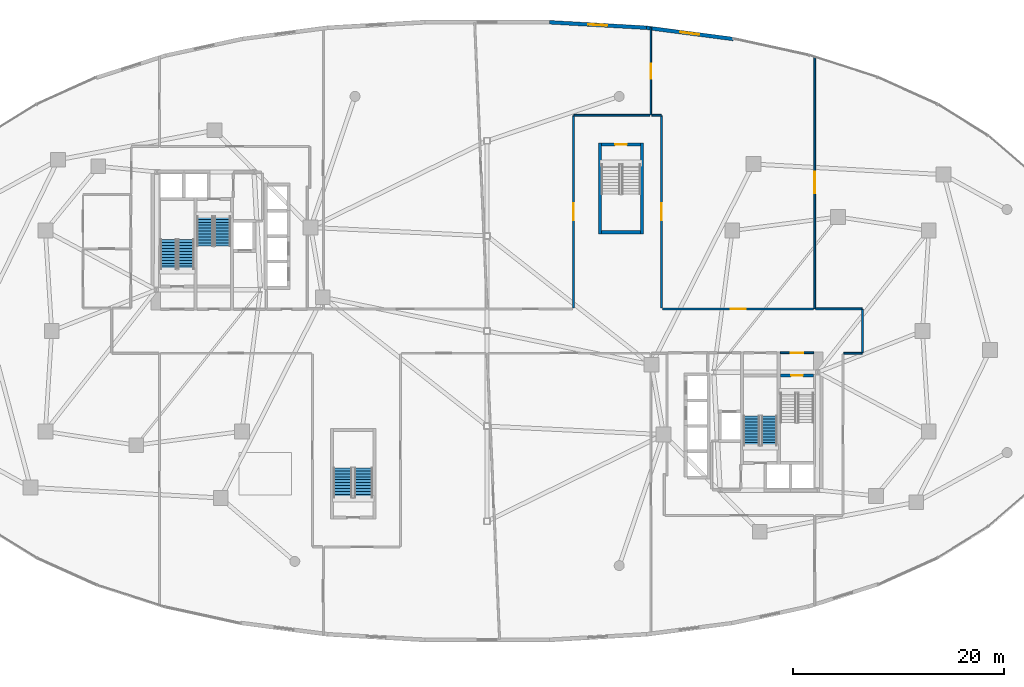
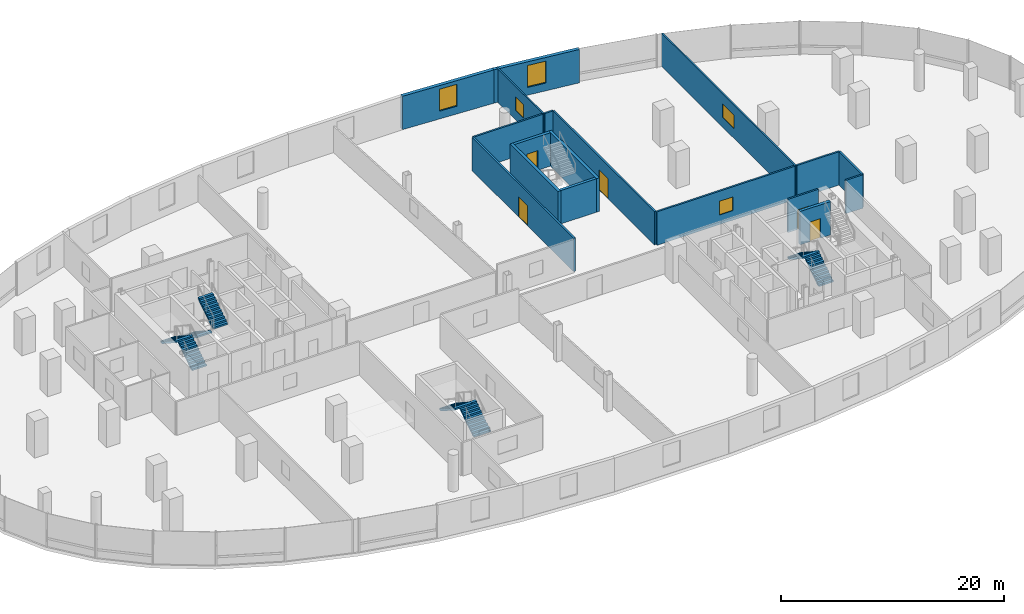
# One storey, part 16 of 19: 18 walls, 8 stair flights, 5 doors, 5 windows, 10 openings, 4 elements without a shape of their own.
"""IFC4 building model written with IfcOpenShell, lengths in metres."""

from ifc_helpers import new_model, si_unit, direction, frame, frame_2d, origin, place, context, subcontext, project, spatial, polyline, rectangle, outline, extrude, material, layer, layer_set, type_object, element, fill, aggregate, save


model = new_model("IFC4")

# Units and contexts
model_context = context("Model", 3, precision=1e-05, world=origin(), true_north=direction((0.0, 1.0)))
body_context = subcontext(model_context, "Body", "Model", "MODEL_VIEW")
ifc_project = project(units=[si_unit("LENGTHUNIT", "METRE"), si_unit("AREAUNIT", "SQUARE_METRE"), si_unit("VOLUMEUNIT", "CUBIC_METRE"), si_unit("PLANEANGLEUNIT", "RADIAN"), si_unit("MASSUNIT", "GRAM", prefix="KILO"), si_unit("THERMODYNAMICTEMPERATUREUNIT", "KELVIN"), si_unit("POWERUNIT", "WATT")], contexts=[model_context])

# Site, building, storey
site_placement = place(None, origin())
site = spatial("IfcSite", under=ifc_project, at=site_placement, CompositionType="ELEMENT")
building_placement = place(site_placement, origin())
building = spatial("IfcBuilding", under=site, at=building_placement, Name="Cundina Bronze Exchange", CompositionType="ELEMENT")
storey_placement = place(building_placement, frame((0.0, 0.0, 16.0)))
storey = spatial("IfcBuildingStorey", under=building, at=storey_placement, Name="L03", CompositionType="ELEMENT", Elevation=16.0)

# Wall, opening, door
ifc_material_1 = material(Name="Gypsum Fireboard Partition EI120")
ifc_layer_1 = layer(ifc_material_1, 0.179931640625, Name="Gypsum Fireboard Partition EI120")
ifc_layer_set_1 = layer_set([ifc_layer_1], Name="Gypsum Fireboard Partition EI120")
wall_type_1 = type_object("IfcWallType", Name="WL-COR-180", PredefinedType="PARTITIONING", material=ifc_layer_set_1)
wall_1_placement = place(storey_placement, frame((27.739990234375, -2.06005859375, 0.0), z_axis=(0.0, 0.0, 1.0), x_axis=(1.0, 0.0, 0.0)))
wall_1 = element("IfcWall", 1, at=wall_1_placement, inside=storey, type_object=wall_type_1, Name="L03 E Stair Vestibule Exit Wall", PredefinedType="PARTITIONING", context=body_context, shape_type="SweptSolid", body=[
    extrude(rectangle(XDim=3.159912109375, YDim=0.179931640625, at=frame_2d((1.580078125, 0.0))), origin(), (0.0, 0.0, 1.0), 3.64990234375),
])
opening_1_placement = place(wall_1_placement, frame((0.97998046875, 0.0, 0.0)))
opening_1 = element("IfcOpeningElement", 2, at=opening_1_placement, cuts=wall_1, Name="Opening DF-01", PredefinedType="OPENING", context=body_context, shape_type="SweptSolid", body=[
    extrude(rectangle(XDim=1.199951171875, YDim=2.14990234375, at=frame_2d((0.60009765625, 1.074951171875))), frame((0.0, 0.099853515625, 0.0), z_axis=(0.0, -1.0, 0.0), x_axis=(1.0, 0.0, 0.0)), (0.0, 0.0, 1.0), 0.199951171875),
])
ifc_material_2 = material(Name="Steel ASTM A36 Painted", Category="steel")
door_type_1 = type_object("IfcDoorType", Name="DR-FFL-1200", OperationType="NOTDEFINED", PredefinedType="DOOR", material=ifc_material_2)
door_1_placement = place(opening_1_placement, origin())
door_1 = element("IfcDoor", 3, at=door_1_placement, inside=storey, type_object=door_type_1, Name="L03 E Stair Vestibule Door", OperationType="SINGLE_SWING_RIGHT", OverallHeight=2.14990234375, OverallWidth=1.199951171875, PredefinedType="DOOR", context=body_context, shape_type="SweptSolid", body=[
    extrude(rectangle(XDim=1.199951171875, YDim=2.14990234375, at=frame_2d((0.60009765625, 1.074951171875))), frame((0.0, 0.02490234375, 0.0), z_axis=(0.0, -1.0, 0.0), x_axis=(1.0, 0.0, 0.0)), (0.0, 0.0, 1.0), 0.050048828125),
])
fill(opening_1, door_1)

# Walls
wall_2_placement = place(storey_placement, frame((35.478515625, 2.10009765625, 0.0), z_axis=(0.0, 0.0, 1.0), x_axis=(-1.0, 0.0, 0.0)))
element("IfcWall", 4, at=wall_2_placement, inside=storey, type_object=wall_type_1, Name="L03 Interior Partition 050", PredefinedType="PARTITIONING", context=body_context, shape_type="SweptSolid", body=[
    extrude(rectangle(XDim=4.383544921875, YDim=0.179931640625, at=frame_2d((2.19189453125, 0.0))), origin(), (0.0, 0.0, 1.0), 3.64990234375),
])
wall_3_placement = place(storey_placement, frame((35.52001953125, -2.05859375, 0.0), z_axis=(0.0, 0.0, 1.0), x_axis=(0.0, 1.0, 0.0)))
element("IfcWall", 5, at=wall_3_placement, inside=storey, type_object=wall_type_1, Name="L03 Interior Partition 051", PredefinedType="PARTITIONING", context=body_context, shape_type="SweptSolid", body=[
    extrude(rectangle(XDim=4.1171875, YDim=0.179931640625, at=frame_2d((2.05859375, 0.0))), origin(), (0.0, 0.0, 1.0), 3.64990234375),
])
wall_4_placement = place(storey_placement, frame((33.75, -2.10009765625, 0.0), z_axis=(0.0, 0.0, 1.0), x_axis=(1.0, 0.0, 0.0)))
element("IfcWall", 6, at=wall_4_placement, inside=storey, type_object=wall_type_1, Name="L03 Interior Partition 053", PredefinedType="PARTITIONING", context=body_context, shape_type="SweptSolid", body=[
    extrude(rectangle(XDim=1.728515625, YDim=0.179931640625, at=frame_2d((0.8642578125, 0.0))), origin(), (0.0, 0.0, 1.0), 3.64990234375),
])

# Wall, opening, door
wall_5_placement = place(storey_placement, frame((16.52001953125, 2.179931640625, 0.0), z_axis=(0.0, 0.0, 1.0), x_axis=(0.0, 1.0, 0.0)))
wall_5 = element("IfcWall", 7, at=wall_5_placement, inside=storey, type_object=wall_type_1, Name="L03 Interior Partition 054", PredefinedType="PARTITIONING", context=body_context, shape_type="SweptSolid", body=[
    extrude(rectangle(XDim=18.198486328125, YDim=0.179931640625, at=frame_2d((9.09912109375, 0.0))), origin(), (0.0, 0.0, 1.0), 3.64990234375),
])
opening_2_placement = place(wall_5_placement, frame((8.29931640625, 0.0, 0.0)))
opening_2 = element("IfcOpeningElement", 8, at=opening_2_placement, cuts=wall_5, Name="Opening DO-02", PredefinedType="OPENING", context=body_context, shape_type="SweptSolid", body=[
    extrude(rectangle(XDim=1.60009765625, YDim=2.199951171875, at=frame_2d((0.800048828125, 1.10009765625))), frame((0.0, 0.099853515625, 0.0), z_axis=(0.0, -1.0, 0.0), x_axis=(1.0, 0.0, 0.0)), (0.0, 0.0, 1.0), 0.199951171875),
])
ifc_material_3 = material(Name="Solid Andean Oak Timber Grade A", Category="wood")
door_type_2 = type_object("IfcDoorType", Name="DR-TRD-1600", OperationType="NOTDEFINED", PredefinedType="DOOR", material=ifc_material_3)
door_2_placement = place(opening_2_placement, origin())
door_2 = element("IfcDoor", 9, at=door_2_placement, inside=storey, type_object=door_type_2, Name="L03 Interior Door 054", OperationType="SINGLE_SWING_LEFT", OverallHeight=2.199951171875, OverallWidth=1.60009765625, PredefinedType="DOOR", context=body_context, shape_type="SweptSolid", body=[
    extrude(rectangle(XDim=1.60009765625, YDim=2.199951171875, at=frame_2d((0.800048828125, 1.10009765625))), frame((0.0, 0.02490234375, 0.0), z_axis=(0.0, -1.0, 0.0), x_axis=(1.0, 0.0, 0.0)), (0.0, 0.0, 1.0), 0.050048828125),
])
fill(opening_2, door_2)

# Wall, opening, window
wall_6_placement = place(storey_placement, frame((30.905029296875, 2.10009765625, 0.0), z_axis=(0.0, 0.0, 1.0), x_axis=(-1.0, 0.0, 0.0)))
wall_6 = element("IfcWall", 10, at=wall_6_placement, inside=storey, type_object=wall_type_1, Name="L03 Interior Partition 055", PredefinedType="PARTITIONING", context=body_context, shape_type="SweptSolid", body=[
    extrude(rectangle(XDim=14.304931640625, YDim=0.179931640625, at=frame_2d((7.15234375, 0.0))), origin(), (0.0, 0.0, 1.0), 3.64990234375),
])
opening_3_placement = place(wall_6_placement, frame((6.451904296875, 0.0, 1.050048828125)))
opening_3 = element("IfcOpeningElement", 11, at=opening_3_placement, cuts=wall_6, Name="Opening WI-02", PredefinedType="OPENING", context=body_context, shape_type="SweptSolid", body=[
    extrude(rectangle(XDim=1.39990234375, YDim=1.5, at=frame_2d((0.699951171875, 0.75))), frame((0.0, 0.099853515625, 0.0), z_axis=(0.0, -1.0, 0.0), x_axis=(1.0, 0.0, 0.0)), (0.0, 0.0, 1.0), 0.199951171875),
])
ifc_material_4 = material(Name="Clear Low-E Insulating Glass 26mm", Category="glass")
window_type_1 = type_object("IfcWindowType", Name="WN-INT-1400", PartitioningType="SINGLE_PANEL", PredefinedType="WINDOW", material=ifc_material_4)
window_1_placement = place(opening_3_placement, origin())
window_1 = element("IfcWindow", 12, at=window_1_placement, inside=storey, type_object=window_type_1, Name="L03 Interior Acoustic Vision Window 055", OverallHeight=1.5, OverallWidth=1.39990234375, PartitioningType="SINGLE_PANEL", PredefinedType="WINDOW", context=body_context, shape_type="SweptSolid", body=[
    extrude(rectangle(XDim=1.39990234375, YDim=1.5, at=frame_2d((0.699951171875, 0.75))), frame((0.0, 0.030029296875, 0.0), z_axis=(0.0, -1.0, 0.0), x_axis=(1.0, 0.0, 0.0)), (0.0, 0.0, 1.0), 0.06005859375),
])
fill(opening_3, window_1)

# Wall
wall_7_placement = place(storey_placement, frame((16.478515625, 20.419921875, 0.0), z_axis=(0.0, 0.0, 1.0), x_axis=(-1.0, 0.0, 0.0)))
element("IfcWall", 13, at=wall_7_placement, inside=storey, type_object=wall_type_1, Name="L03 Interior Partition 056", PredefinedType="PARTITIONING", context=body_context, shape_type="SweptSolid", body=[
    extrude(rectangle(XDim=0.883544921875, YDim=0.179931640625, at=frame_2d((0.44189453125, 0.0))), origin(), (0.0, 0.0, 1.0), 3.64990234375),
])

# Wall, opening, door
wall_8_placement = place(storey_placement, frame((8.179931640625, 20.37841796875, 0.0), z_axis=(0.0, 0.0, 1.0), x_axis=(0.0, -1.0, 0.0)))
wall_8 = element("IfcWall", 14, at=wall_8_placement, inside=storey, type_object=wall_type_1, Name="L03 Interior Partition 058", PredefinedType="PARTITIONING", context=body_context, shape_type="SweptSolid", body=[
    extrude(rectangle(XDim=18.198486328125, YDim=0.179931640625, at=frame_2d((9.09912109375, 0.0))), origin(), (0.0, 0.0, 1.0), 3.64990234375),
])
opening_4_placement = place(wall_8_placement, frame((8.29931640625, 0.0, 0.0)))
opening_4 = element("IfcOpeningElement", 15, at=opening_4_placement, cuts=wall_8, Name="Opening DO-02", PredefinedType="OPENING", context=body_context, shape_type="SweptSolid", body=[
    extrude(rectangle(XDim=1.60009765625, YDim=2.199951171875, at=frame_2d((0.800048828125, 1.10009765625))), frame((0.0, 0.099853515625, 0.0), z_axis=(0.0, -1.0, 0.0), x_axis=(1.0, 0.0, 0.0)), (0.0, 0.0, 1.0), 0.199951171875),
])
door_3_placement = place(opening_4_placement, origin())
door_3 = element("IfcDoor", 16, at=door_3_placement, inside=storey, type_object=door_type_2, Name="L03 Interior Door 058", OperationType="SINGLE_SWING_RIGHT", OverallHeight=2.199951171875, OverallWidth=1.60009765625, PredefinedType="DOOR", context=body_context, shape_type="SweptSolid", body=[
    extrude(rectangle(XDim=1.60009765625, YDim=2.199951171875, at=frame_2d((0.800048828125, 1.10009765625))), frame((0.0, 0.02490234375, 0.0), z_axis=(0.0, -1.0, 0.0), x_axis=(1.0, 0.0, 0.0)), (0.0, 0.0, 1.0), 0.050048828125),
])
fill(opening_4, door_3)

# Wall
wall_9_placement = place(storey_placement, frame((15.405029296875, 20.419921875, 0.0), z_axis=(0.0, 0.0, 1.0), x_axis=(-1.0, 0.0, 0.0)))
element("IfcWall", 17, at=wall_9_placement, inside=storey, type_object=wall_type_1, Name="L03 Interior Partition 060", PredefinedType="PARTITIONING", context=body_context, shape_type="SweptSolid", body=[
    extrude(rectangle(XDim=7.18359375, YDim=0.179931640625, at=frame_2d((3.591796875, 0.0))), origin(), (0.0, 0.0, 1.0), 3.64990234375),
])

# Wall, opening, window
ifc_material_5 = material(Name="Concrete C40/50", Category="concrete")
ifc_layer_2 = layer(ifc_material_5, 0.35009765625, Name="Concrete C40/50", Category="concrete")
ifc_layer_set_2 = layer_set([ifc_layer_2], Name="Concrete C40/50")
wall_type_2 = type_object("IfcWallType", Name="WL-EXT-350", PredefinedType="SOLIDWALL", material=ifc_layer_set_2)
wall_10_placement = place(storey_placement, frame((23.29345703125, 27.63232421875, 0.0), z_axis=(0.0, 0.0, 1.0), x_axis=(-0.99168663472, 0.128676410104, 0.0)))
wall_10 = element("IfcWall", 18, at=wall_10_placement, inside=storey, type_object=wall_type_2, Name="L03 Podium Exterior Wall 08", PredefinedType="SOLIDWALL", context=body_context, shape_type="SweptSolid", body=[
    extrude(rectangle(XDim=8.28369140625, YDim=0.35009765625, at=frame_2d((4.141845703125, 0.0))), origin(), (0.0, 0.0, 1.0), 3.64990234375),
])
opening_5_placement = place(wall_10_placement, frame((3.241943359375, 0.0, 0.85009765625)))
opening_5 = element("IfcOpeningElement", 19, at=opening_5_placement, cuts=wall_10, Name="Opening W-02", PredefinedType="OPENING", context=body_context, shape_type="SweptSolid", body=[
    extrude(rectangle(XDim=1.800048828125, YDim=2.39990234375, at=frame_2d((0.89990234375, 1.199951171875))), frame((0.0, 0.18505859375, 0.0), z_axis=(0.0, -1.0, 0.0), x_axis=(1.0, 0.0, 0.0)), (0.0, 0.0, 1.0), 0.3701171875),
])
ifc_material_6 = material(Name="Heat-Strengthened Solar-Control Bronze Safety Glass 28mm", Category="glass")
window_type_2 = type_object("IfcWindowType", Name="WN-POD-1800", PartitioningType="SINGLE_PANEL", PredefinedType="WINDOW", material=ifc_material_6)
window_2_placement = place(opening_5_placement, origin())
window_2 = element("IfcWindow", 20, at=window_2_placement, inside=storey, type_object=window_type_2, Name="L03 Podium Punched Window 08", OverallHeight=2.39990234375, OverallWidth=1.800048828125, PartitioningType="SINGLE_PANEL", PredefinedType="WINDOW", context=body_context, shape_type="SweptSolid", body=[
    extrude(rectangle(XDim=1.800048828125, YDim=2.39990234375, at=frame_2d((0.89990234375, 1.199951171875))), frame((0.0, 0.030029296875, 0.0), z_axis=(0.0, -1.0, 0.0), x_axis=(1.0, 0.0, 0.0)), (0.0, 0.0, 1.0), 0.06005859375),
])
fill(opening_5, window_2)

wall_11_placement = place(storey_placement, frame((15.07861328125, 28.6982421875, 0.0), z_axis=(0.0, 0.0, 1.0), x_axis=(-0.998413463137, 0.056307695976, 0.0)))
wall_11 = element("IfcWall", 21, at=wall_11_placement, inside=storey, type_object=wall_type_2, Name="L03 Podium Exterior Wall 09", PredefinedType="SOLIDWALL", context=body_context, shape_type="SweptSolid", body=[
    extrude(rectangle(XDim=9.20068359375, YDim=0.35009765625, at=frame_2d((4.600341796875, 0.0))), origin(), (0.0, 0.0, 1.0), 3.64990234375),
])
opening_6_placement = place(wall_11_placement, frame((3.699951171875, 0.0, 0.85009765625)))
opening_6 = element("IfcOpeningElement", 22, at=opening_6_placement, cuts=wall_11, Name="Opening W-02", PredefinedType="OPENING", context=body_context, shape_type="SweptSolid", body=[
    extrude(rectangle(XDim=1.800048828125, YDim=2.39990234375, at=frame_2d((0.89990234375, 1.199951171875))), frame((0.0, 0.18505859375, 0.0), z_axis=(0.0, -1.0, 0.0), x_axis=(1.0, 0.0, 0.0)), (0.0, 0.0, 1.0), 0.3701171875),
])
window_3_placement = place(opening_6_placement, origin())
window_3 = element("IfcWindow", 23, at=window_3_placement, inside=storey, type_object=window_type_2, Name="L03 Podium Punched Window 09", OverallHeight=2.39990234375, OverallWidth=1.800048828125, PartitioningType="SINGLE_PANEL", PredefinedType="WINDOW", context=body_context, shape_type="SweptSolid", body=[
    extrude(rectangle(XDim=1.800048828125, YDim=2.39990234375, at=frame_2d((0.89990234375, 1.199951171875))), frame((0.0, 0.030029296875, 0.0), z_axis=(0.0, -1.0, 0.0), x_axis=(1.0, 0.0, 0.0)), (0.0, 0.0, 1.0), 0.06005859375),
])
fill(opening_6, window_3)

# Walls
ifc_material_7 = material(Name="Concrete C50/60", Category="concrete")
ifc_layer_3 = layer(ifc_material_7, 0.300048828125, Name="Concrete C50/60", Category="concrete")
ifc_layer_set_3 = layer_set([ifc_layer_3], Name="Concrete C50/60")
wall_type_3 = type_object("IfcWallType", Name="WL-SHFT-300", PredefinedType="SHEAR", material=ifc_layer_set_3)
for number, where, z_axis, x_axis, name in (
    (24, (10.669921875, 9.199951171875, 0.0), (0.0, 0.0, 1.0), (0.0, 1.0, 0.0), "L03 Concourse Stair E West Shaft Wall"),
    (25, (14.669921875, 9.199951171875, 0.0), (0.0, 0.0, 1.0), (0.0, 1.0, 0.0), "L03 Concourse Stair E East Shaft Wall"),
):
    element("IfcWall", number, at=place(storey_placement, frame(where, z_axis=z_axis, x_axis=x_axis)), inside=storey, type_object=wall_type_3, Name=name, PredefinedType="SHEAR", context=body_context, shape_type="SweptSolid", body=[
        extrude(rectangle(XDim=8.60009765625, YDim=0.300048828125, at=frame_2d((4.300048828125, 0.0))), origin(), (0.0, 0.0, 1.0), 3.64990234375),
    ])

# Wall, opening, door
wall_12_placement = place(storey_placement, frame((10.820068359375, 17.64990234375, 0.0), z_axis=(0.0, 0.0, 1.0), x_axis=(1.0, 0.0, 0.0)))
wall_12 = element("IfcWall", 26, at=wall_12_placement, inside=storey, type_object=wall_type_3, Name="L03 Concourse Stair E Landing Wall", PredefinedType="SHEAR", context=body_context, shape_type="SweptSolid", body=[
    extrude(rectangle(XDim=3.699951171875, YDim=0.300048828125, at=frame_2d((1.85009765625, 0.0))), origin(), (0.0, 0.0, 1.0), 3.64990234375),
])
opening_7_placement = place(wall_12_placement, frame((1.300048828125, 0.0, 0.0)))
opening_7 = element("IfcOpeningElement", 27, at=opening_7_placement, cuts=wall_12, Name="Opening DS-01", PredefinedType="OPENING", context=body_context, shape_type="SweptSolid", body=[
    extrude(rectangle(XDim=1.10009765625, YDim=2.14990234375, at=frame_2d((0.550048828125, 1.074951171875))), frame((0.0, 0.159912109375, 0.0), z_axis=(0.0, -1.0, 0.0), x_axis=(1.0, 0.0, 0.0)), (0.0, 0.0, 1.0), 0.320068359375),
])
door_type_3 = type_object("IfcDoorType", Name="DR-STR-1100", OperationType="NOTDEFINED", PredefinedType="DOOR", material=ifc_material_2)
door_4_placement = place(opening_7_placement, origin())
door_4 = element("IfcDoor", 28, at=door_4_placement, inside=storey, type_object=door_type_3, Name="L03 Concourse Stair E Door", OperationType="SINGLE_SWING_RIGHT", OverallHeight=2.14990234375, OverallWidth=1.10009765625, PredefinedType="DOOR", context=body_context, shape_type="SweptSolid", body=[
    extrude(rectangle(XDim=1.10009765625, YDim=2.14990234375, at=frame_2d((0.550048828125, 1.074951171875))), frame((0.0, 0.02490234375, 0.0), z_axis=(0.0, -1.0, 0.0), x_axis=(1.0, 0.0, 0.0)), (0.0, 0.0, 1.0), 0.050048828125),
])
fill(opening_7, door_4)

# Wall
wall_13_placement = place(storey_placement, frame((10.820068359375, 9.35009765625, 0.0), z_axis=(0.0, 0.0, 1.0), x_axis=(1.0, 0.0, 0.0)))
element("IfcWall", 29, at=wall_13_placement, inside=storey, type_object=wall_type_3, Name="L03 Concourse Stair E Far Shaft Wall", PredefinedType="SHEAR", context=body_context, shape_type="SweptSolid", body=[
    extrude(rectangle(XDim=3.699951171875, YDim=0.300048828125, at=frame_2d((1.85009765625, 0.0))), origin(), (0.0, 0.0, 1.0), 3.64990234375),
])

# Wall, opening, door
wall_14_placement = place(storey_placement, frame((27.739990234375, -4.199951171875, 0.0), z_axis=(0.0, 0.0, 1.0), x_axis=(1.0, 0.0, 0.0)))
wall_14 = element("IfcWall", 30, at=wall_14_placement, inside=storey, type_object=wall_type_3, Name="L03 Stair E1 Landing Wall", PredefinedType="SHEAR", context=body_context, shape_type="SweptSolid", body=[
    extrude(rectangle(XDim=3.159912109375, YDim=0.300048828125, at=frame_2d((1.580078125, 0.0))), origin(), (0.0, 0.0, 1.0), 3.64990234375),
])
opening_8_placement = place(wall_14_placement, frame((1.030029296875, 0.0, 0.0)))
opening_8 = element("IfcOpeningElement", 31, at=opening_8_placement, cuts=wall_14, Name="Opening DS-01", PredefinedType="OPENING", context=body_context, shape_type="SweptSolid", body=[
    extrude(rectangle(XDim=1.10009765625, YDim=2.14990234375, at=frame_2d((0.550048828125, 1.074951171875))), frame((0.0, 0.159912109375, 0.0), z_axis=(0.0, -1.0, 0.0), x_axis=(1.0, 0.0, 0.0)), (0.0, 0.0, 1.0), 0.320068359375),
])
door_5_placement = place(opening_8_placement, origin())
door_5 = element("IfcDoor", 32, at=door_5_placement, inside=storey, type_object=door_type_3, Name="L03 Smokeproof Stair E1 Door", OperationType="SINGLE_SWING_LEFT", OverallHeight=2.14990234375, OverallWidth=1.10009765625, PredefinedType="DOOR", context=body_context, shape_type="SweptSolid", body=[
    extrude(rectangle(XDim=1.10009765625, YDim=2.14990234375, at=frame_2d((0.550048828125, 1.074951171875))), frame((0.0, 0.02490234375, 0.0), z_axis=(0.0, -1.0, 0.0), x_axis=(1.0, 0.0, 0.0)), (0.0, 0.0, 1.0), 0.050048828125),
])
fill(opening_8, door_5)

# Wall, opening, window
ifc_material_8 = material(Name="Gypsum Acoustic Partition EI60")
ifc_layer_4 = layer(ifc_material_8, 0.14990234375, Name="Gypsum Acoustic Partition EI60")
ifc_layer_set_4 = layer_set([ifc_layer_4], Name="Gypsum Acoustic Partition EI60")
wall_type_4 = type_object("IfcWallType", Name="WL-TEN-150", PredefinedType="PARTITIONING", material=ifc_layer_set_4)
wall_15_placement = place(storey_placement, frame((15.5, 20.449951171875, 0.0), z_axis=(0.0, 0.0, 1.0), x_axis=(0.0, 1.0, 0.0)))
wall_15 = element("IfcWall", 33, at=wall_15_placement, inside=storey, type_object=wall_type_4, Name="L03 Interior Partition 031", PredefinedType="PARTITIONING", context=body_context, shape_type="SweptSolid", body=[
    extrude(rectangle(XDim=8.2900390625, YDim=0.14990234375, at=frame_2d((4.14501953125, 0.0))), origin(), (0.0, 0.0, 1.0), 3.64990234375),
])
opening_9_placement = place(wall_15_placement, frame((3.445068359375, 0.0, 1.050048828125)))
opening_9 = element("IfcOpeningElement", 34, at=opening_9_placement, cuts=wall_15, Name="Opening WI-02", PredefinedType="OPENING", context=body_context, shape_type="SweptSolid", body=[
    extrude(rectangle(XDim=1.39990234375, YDim=1.5, at=frame_2d((0.699951171875, 0.75))), frame((0.0, 0.0849609375, 0.0), z_axis=(0.0, -1.0, 0.0), x_axis=(1.0, 0.0, 0.0)), (0.0, 0.0, 1.0), 0.169921875),
])
window_4_placement = place(opening_9_placement, origin())
window_4 = element("IfcWindow", 35, at=window_4_placement, inside=storey, type_object=window_type_1, Name="L03 Interior Acoustic Vision Window 031", OverallHeight=1.5, OverallWidth=1.39990234375, PartitioningType="SINGLE_PANEL", PredefinedType="WINDOW", context=body_context, shape_type="SweptSolid", body=[
    extrude(rectangle(XDim=1.39990234375, YDim=1.5, at=frame_2d((0.699951171875, 0.75))), frame((0.0, 0.030029296875, 0.0), z_axis=(0.0, -1.0, 0.0), x_axis=(1.0, 0.0, 0.0)), (0.0, 0.0, 1.0), 0.06005859375),
])
fill(opening_9, window_4)

wall_16_placement = place(storey_placement, frame((31.0, 2.1298828125, 0.0), z_axis=(0.0, 0.0, 1.0), x_axis=(0.0, 1.0, 0.0)))
wall_16 = element("IfcWall", 36, at=wall_16_placement, inside=storey, type_object=wall_type_4, Name="L03 Interior Partition 034", PredefinedType="PARTITIONING", context=body_context, shape_type="SweptSolid", body=[
    extrude(rectangle(XDim=23.84130859375, YDim=0.14990234375, at=frame_2d((11.920654296875, 0.0))), origin(), (0.0, 0.0, 1.0), 3.64990234375),
])
opening_10_placement = place(wall_16_placement, frame((10.9208984375, 0.0, 1.050048828125)))
opening_10 = element("IfcOpeningElement", 37, at=opening_10_placement, cuts=wall_16, Name="Opening WI-01", PredefinedType="OPENING", context=body_context, shape_type="SweptSolid", body=[
    extrude(rectangle(XDim=2.0, YDim=1.5, at=frame_2d((1.0, 0.75))), frame((0.0, 0.0849609375, 0.0), z_axis=(0.0, -1.0, 0.0), x_axis=(1.0, 0.0, 0.0)), (0.0, 0.0, 1.0), 0.169921875),
])
window_type_3 = type_object("IfcWindowType", Name="WN-INT-2000", PartitioningType="SINGLE_PANEL", PredefinedType="WINDOW", material=ifc_material_4)
window_5_placement = place(opening_10_placement, origin())
window_5 = element("IfcWindow", 38, at=window_5_placement, inside=storey, type_object=window_type_3, Name="L03 Interior Acoustic Vision Window 034", OverallHeight=1.5, OverallWidth=2.0, PartitioningType="SINGLE_PANEL", PredefinedType="WINDOW", context=body_context, shape_type="SweptSolid", body=[
    extrude(rectangle(XDim=2.0, YDim=1.5, at=frame_2d((1.0, 0.75))), frame((0.0, 0.030029296875, 0.0), z_axis=(0.0, -1.0, 0.0), x_axis=(1.0, 0.0, 0.0)), (0.0, 0.0, 1.0), 0.06005859375),
])
fill(opening_10, window_5)

# Stair, stair flights
stair_type_1 = type_object("IfcStairType", Name="STR-CON-600", PredefinedType="STRAIGHT_RUN_STAIR", material=ifc_material_5)
stair_1_placement = place(storey_placement, origin())
stair_1 = element("IfcStair", 39, at=stair_1_placement, inside=storey, type_object=stair_type_1, Name="L03 Concourse Exchange Stair W", PredefinedType="HALF_TURN_STAIR")
stair_flight_type_1 = type_object("IfcStairFlightType", Name="FLG-CON-300", PredefinedType="STRAIGHT", material=ifc_material_5)
stair_flight_1_placement = place(storey_placement, frame((-11.695068359375, -15.75, 0.0), z_axis=(0.0, 0.0, 1.0), x_axis=(0.0, 1.0, 0.0)))
stair_flight_1 = element("IfcStairFlight", 40, at=stair_flight_1_placement, type_object=stair_flight_type_1, Name="ST-PW flight 1", NumberOfRisers=11, NumberOfTreads=10, PredefinedType="STRAIGHT", RiserHeight=0.181818182, TreadLength=0.28, context=body_context, shape_type="SweptSolid", body=[
    extrude(outline(polyline([(0.0, 0.0), (0.0, 0.181884765625), (0.280029296875, 0.181884765625), (0.280029296875, 0.363525390625), (0.56005859375, 0.363525390625), (0.56005859375, 0.54541015625), (0.840087890625, 0.54541015625), (0.840087890625, 0.727294921875), (1.1201171875, 0.727294921875), (1.1201171875, 0.9091796875), (1.39990234375, 0.9091796875), (1.39990234375, 1.0908203125), (1.679931640625, 1.0908203125), (1.679931640625, 1.272705078125), (1.9599609375, 1.272705078125), (1.9599609375, 1.45458984375), (2.239990234375, 1.45458984375), (2.239990234375, 1.636474609375), (2.52001953125, 1.636474609375), (2.52001953125, 1.818115234375), (2.800048828125, 1.818115234375), (2.800048828125, 2.0), (2.800048828125, 1.639404296875), (0.275146484375, 0.0), (0.0, 0.0)])), frame((0.0, 0.875, 0.0), z_axis=(0.0, -1.0, 0.0), x_axis=(1.0, 0.0, 0.0)), (0.0, 0.0, 1.0), 1.75),
])
stair_flight_2_placement = place(storey_placement, frame((-13.64501953125, -12.949951171875, 2.0), z_axis=(0.0, 0.0, 1.0), x_axis=(0.0, -1.0, 0.0)))
stair_flight_2 = element("IfcStairFlight", 41, at=stair_flight_2_placement, type_object=stair_flight_type_1, Name="ST-PW flight 2", NumberOfRisers=11, NumberOfTreads=10, PredefinedType="STRAIGHT", RiserHeight=0.181818182, TreadLength=0.28, context=body_context, shape_type="SweptSolid", body=[
    extrude(outline(polyline([(0.0, 0.0), (0.0, 0.181884765625), (0.280029296875, 0.181884765625), (0.280029296875, 0.363525390625), (0.56005859375, 0.363525390625), (0.56005859375, 0.54541015625), (0.840087890625, 0.54541015625), (0.840087890625, 0.727294921875), (1.1201171875, 0.727294921875), (1.1201171875, 0.9091796875), (1.39990234375, 0.9091796875), (1.39990234375, 1.0908203125), (1.679931640625, 1.0908203125), (1.679931640625, 1.272705078125), (1.9599609375, 1.272705078125), (1.9599609375, 1.45458984375), (2.239990234375, 1.45458984375), (2.239990234375, 1.636474609375), (2.52001953125, 1.636474609375), (2.52001953125, 1.818115234375), (2.800048828125, 1.818115234375), (2.800048828125, 2.0), (2.800048828125, 1.639404296875), (0.275146484375, 0.0), (0.0, 0.0)])), frame((0.0, 0.875, 0.0), z_axis=(0.0, -1.0, 0.0), x_axis=(1.0, 0.0, 0.0)), (0.0, 0.0, 1.0), 1.75),
])
aggregate(stair_1, [stair_flight_1, stair_flight_2])

stair_type_2 = type_object("IfcStairType", Name="STR-POD-400", PredefinedType="HALF_TURN_STAIR", material=ifc_material_5)
stair_2_placement = place(storey_placement, origin())
stair_2 = element("IfcStair", 42, at=stair_2_placement, inside=storey, type_object=stair_type_2, Name="L03 Smokeproof Exit Stair W1", PredefinedType="HALF_TURN_STAIR")
stair_flight_type_2 = type_object("IfcStairFlightType", Name="FLG-POD-200", PredefinedType="STRAIGHT", material=ifc_material_5)
stair_flight_3_placement = place(storey_placement, frame((-28.489990234375, 5.85009765625, 0.0), z_axis=(0.0, 0.0, 1.0), x_axis=(0.0, 1.0, 0.0)))
stair_flight_3 = element("IfcStairFlight", 43, at=stair_flight_3_placement, type_object=stair_flight_type_2, Name="ST-W1 flight 1", NumberOfRisers=11, NumberOfTreads=10, PredefinedType="STRAIGHT", RiserHeight=0.181818182, TreadLength=0.28, context=body_context, shape_type="SweptSolid", body=[
    extrude(outline(polyline([(0.0, 0.0), (0.0, 0.181884765625), (0.280029296875, 0.181884765625), (0.280029296875, 0.363525390625), (0.56005859375, 0.363525390625), (0.56005859375, 0.54541015625), (0.840087890625, 0.54541015625), (0.840087890625, 0.727294921875), (1.1201171875, 0.727294921875), (1.1201171875, 0.9091796875), (1.39990234375, 0.9091796875), (1.39990234375, 1.0908203125), (1.679931640625, 1.0908203125), (1.679931640625, 1.272705078125), (1.9599609375, 1.272705078125), (1.9599609375, 1.45458984375), (2.239990234375, 1.45458984375), (2.239990234375, 1.636474609375), (2.52001953125, 1.636474609375), (2.52001953125, 1.818115234375), (2.800048828125, 1.818115234375), (2.800048828125, 2.0), (2.800048828125, 1.639404296875), (0.275146484375, 0.0), (0.0, 0.0)])), frame((0.0, 0.75, 0.0), z_axis=(0.0, -1.0, 0.0), x_axis=(1.0, 0.0, 0.0)), (0.0, 0.0, 1.0), 1.5),
])
stair_flight_4_placement = place(storey_placement, frame((-30.14990234375, 8.64990234375, 2.0), z_axis=(0.0, 0.0, 1.0), x_axis=(0.0, -1.0, 0.0)))
stair_flight_4 = element("IfcStairFlight", 44, at=stair_flight_4_placement, type_object=stair_flight_type_2, Name="ST-W1 flight 2", NumberOfRisers=11, NumberOfTreads=10, PredefinedType="STRAIGHT", RiserHeight=0.181818182, TreadLength=0.28, context=body_context, shape_type="SweptSolid", body=[
    extrude(outline(polyline([(0.0, 0.0), (0.0, 0.181884765625), (0.280029296875, 0.181884765625), (0.280029296875, 0.363525390625), (0.56005859375, 0.363525390625), (0.56005859375, 0.54541015625), (0.840087890625, 0.54541015625), (0.840087890625, 0.727294921875), (1.1201171875, 0.727294921875), (1.1201171875, 0.9091796875), (1.39990234375, 0.9091796875), (1.39990234375, 1.0908203125), (1.679931640625, 1.0908203125), (1.679931640625, 1.272705078125), (1.9599609375, 1.272705078125), (1.9599609375, 1.45458984375), (2.239990234375, 1.45458984375), (2.239990234375, 1.636474609375), (2.52001953125, 1.636474609375), (2.52001953125, 1.818115234375), (2.800048828125, 1.818115234375), (2.800048828125, 2.0), (2.800048828125, 1.639404296875), (0.275146484375, 0.0), (0.0, 0.0)])), frame((0.0, 0.75, 0.0), z_axis=(0.0, -1.0, 0.0), x_axis=(1.0, 0.0, 0.0)), (0.0, 0.0, 1.0), 1.5),
])
aggregate(stair_2, [stair_flight_3, stair_flight_4])

stair_3_placement = place(storey_placement, origin())
stair_3 = element("IfcStair", 45, at=stair_3_placement, inside=storey, type_object=stair_type_2, Name="L03 Smokeproof Exit Stair W2", PredefinedType="HALF_TURN_STAIR")
stair_flight_5_placement = place(storey_placement, frame((-26.68994140625, 10.85009765625, 0.0), z_axis=(0.0, 0.0, 1.0), x_axis=(0.0, -1.0, 0.0)))
stair_flight_5 = element("IfcStairFlight", 46, at=stair_flight_5_placement, type_object=stair_flight_type_2, Name="ST-W2 flight 1", NumberOfRisers=11, NumberOfTreads=10, PredefinedType="STRAIGHT", RiserHeight=0.181818182, TreadLength=0.28, context=body_context, shape_type="SweptSolid", body=[
    extrude(outline(polyline([(0.0, 0.0), (0.0, 0.181884765625), (0.280029296875, 0.181884765625), (0.280029296875, 0.363525390625), (0.56005859375, 0.363525390625), (0.56005859375, 0.54541015625), (0.840087890625, 0.54541015625), (0.840087890625, 0.727294921875), (1.1201171875, 0.727294921875), (1.1201171875, 0.9091796875), (1.39990234375, 0.9091796875), (1.39990234375, 1.0908203125), (1.679931640625, 1.0908203125), (1.679931640625, 1.272705078125), (1.9599609375, 1.272705078125), (1.9599609375, 1.45458984375), (2.239990234375, 1.45458984375), (2.239990234375, 1.636474609375), (2.52001953125, 1.636474609375), (2.52001953125, 1.818115234375), (2.800048828125, 1.818115234375), (2.800048828125, 2.0), (2.800048828125, 1.639404296875), (0.275146484375, 0.0), (0.0, 0.0)])), frame((0.0, 0.75, 0.0), z_axis=(0.0, -1.0, 0.0), x_axis=(1.0, 0.0, 0.0)), (0.0, 0.0, 1.0), 1.5),
])
stair_flight_6_placement = place(storey_placement, frame((-25.030029296875, 8.050048828125, 2.0), z_axis=(0.0, 0.0, 1.0), x_axis=(0.0, 1.0, 0.0)))
stair_flight_6 = element("IfcStairFlight", 47, at=stair_flight_6_placement, type_object=stair_flight_type_2, Name="ST-W2 flight 2", NumberOfRisers=11, NumberOfTreads=10, PredefinedType="STRAIGHT", RiserHeight=0.181818182, TreadLength=0.28, context=body_context, shape_type="SweptSolid", body=[
    extrude(outline(polyline([(0.0, 0.0), (0.0, 0.181884765625), (0.280029296875, 0.181884765625), (0.280029296875, 0.363525390625), (0.56005859375, 0.363525390625), (0.56005859375, 0.54541015625), (0.840087890625, 0.54541015625), (0.840087890625, 0.727294921875), (1.1201171875, 0.727294921875), (1.1201171875, 0.9091796875), (1.39990234375, 0.9091796875), (1.39990234375, 1.0908203125), (1.679931640625, 1.0908203125), (1.679931640625, 1.272705078125), (1.9599609375, 1.272705078125), (1.9599609375, 1.45458984375), (2.239990234375, 1.45458984375), (2.239990234375, 1.636474609375), (2.52001953125, 1.636474609375), (2.52001953125, 1.818115234375), (2.800048828125, 1.818115234375), (2.800048828125, 2.0), (2.800048828125, 1.639404296875), (0.275146484375, 0.0), (0.0, 0.0)])), frame((0.0, 0.75, 0.0), z_axis=(0.0, -1.0, 0.0), x_axis=(1.0, 0.0, 0.0)), (0.0, 0.0, 1.0), 1.5),
])
aggregate(stair_3, [stair_flight_5, stair_flight_6])

stair_4_placement = place(storey_placement, origin())
stair_4 = element("IfcStair", 48, at=stair_4_placement, inside=storey, type_object=stair_type_2, Name="L03 Smokeproof Exit Stair E2", PredefinedType="HALF_TURN_STAIR")
stair_flight_7_placement = place(storey_placement, frame((26.68994140625, -10.85009765625, 0.0), z_axis=(0.0, 0.0, 1.0), x_axis=(0.0, 1.0, 0.0)))
stair_flight_7 = element("IfcStairFlight", 49, at=stair_flight_7_placement, type_object=stair_flight_type_2, Name="ST-E2 flight 1", NumberOfRisers=11, NumberOfTreads=10, PredefinedType="STRAIGHT", RiserHeight=0.181818182, TreadLength=0.28, context=body_context, shape_type="SweptSolid", body=[
    extrude(outline(polyline([(0.0, 0.0), (0.0, 0.181884765625), (0.280029296875, 0.181884765625), (0.280029296875, 0.363525390625), (0.56005859375, 0.363525390625), (0.56005859375, 0.54541015625), (0.840087890625, 0.54541015625), (0.840087890625, 0.727294921875), (1.1201171875, 0.727294921875), (1.1201171875, 0.9091796875), (1.39990234375, 0.9091796875), (1.39990234375, 1.0908203125), (1.679931640625, 1.0908203125), (1.679931640625, 1.272705078125), (1.9599609375, 1.272705078125), (1.9599609375, 1.45458984375), (2.239990234375, 1.45458984375), (2.239990234375, 1.636474609375), (2.52001953125, 1.636474609375), (2.52001953125, 1.818115234375), (2.800048828125, 1.818115234375), (2.800048828125, 2.0), (2.800048828125, 1.639404296875), (0.275146484375, 0.0), (0.0, 0.0)])), frame((0.0, 0.75, 0.0), z_axis=(0.0, -1.0, 0.0), x_axis=(1.0, 0.0, 0.0)), (0.0, 0.0, 1.0), 1.5),
])
stair_flight_8_placement = place(storey_placement, frame((25.030029296875, -8.050048828125, 2.0), z_axis=(0.0, 0.0, 1.0), x_axis=(0.0, -1.0, 0.0)))
stair_flight_8 = element("IfcStairFlight", 50, at=stair_flight_8_placement, type_object=stair_flight_type_2, Name="ST-E2 flight 2", NumberOfRisers=11, NumberOfTreads=10, PredefinedType="STRAIGHT", RiserHeight=0.181818182, TreadLength=0.28, context=body_context, shape_type="SweptSolid", body=[
    extrude(outline(polyline([(0.0, 0.0), (0.0, 0.181884765625), (0.280029296875, 0.181884765625), (0.280029296875, 0.363525390625), (0.56005859375, 0.363525390625), (0.56005859375, 0.54541015625), (0.840087890625, 0.54541015625), (0.840087890625, 0.727294921875), (1.1201171875, 0.727294921875), (1.1201171875, 0.9091796875), (1.39990234375, 0.9091796875), (1.39990234375, 1.0908203125), (1.679931640625, 1.0908203125), (1.679931640625, 1.272705078125), (1.9599609375, 1.272705078125), (1.9599609375, 1.45458984375), (2.239990234375, 1.45458984375), (2.239990234375, 1.636474609375), (2.52001953125, 1.636474609375), (2.52001953125, 1.818115234375), (2.800048828125, 1.818115234375), (2.800048828125, 2.0), (2.800048828125, 1.639404296875), (0.275146484375, 0.0), (0.0, 0.0)])), frame((0.0, 0.75, 0.0), z_axis=(0.0, -1.0, 0.0), x_axis=(1.0, 0.0, 0.0)), (0.0, 0.0, 1.0), 1.5),
])
aggregate(stair_4, [stair_flight_7, stair_flight_8])

save(model, "model.ifc")
